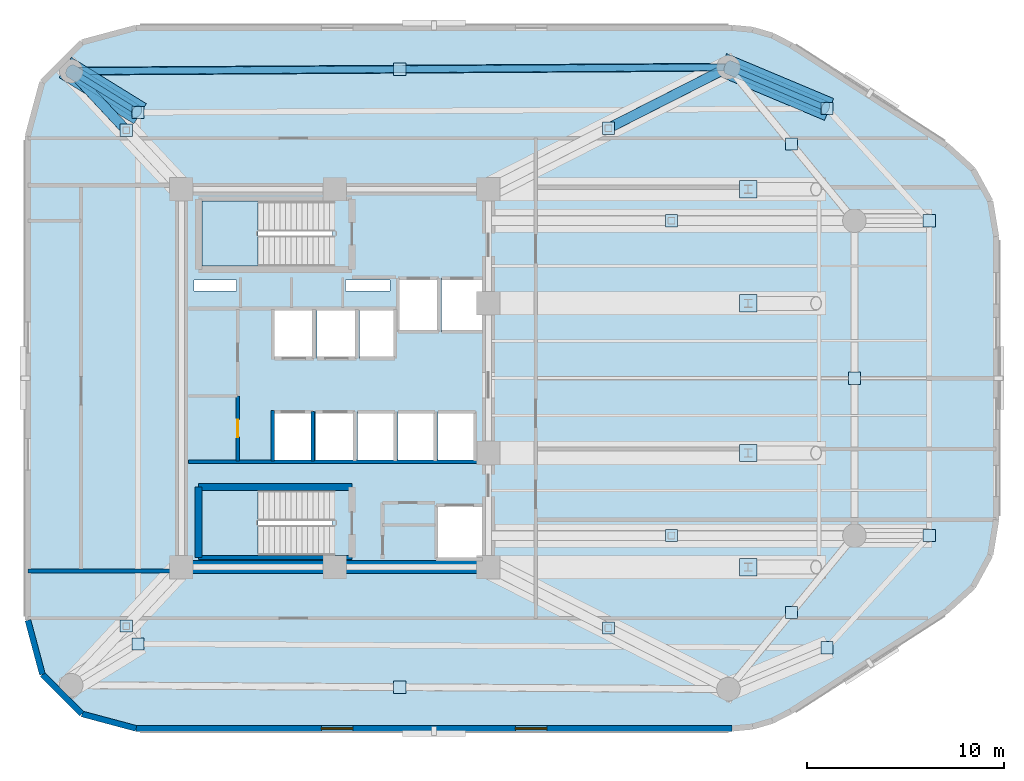
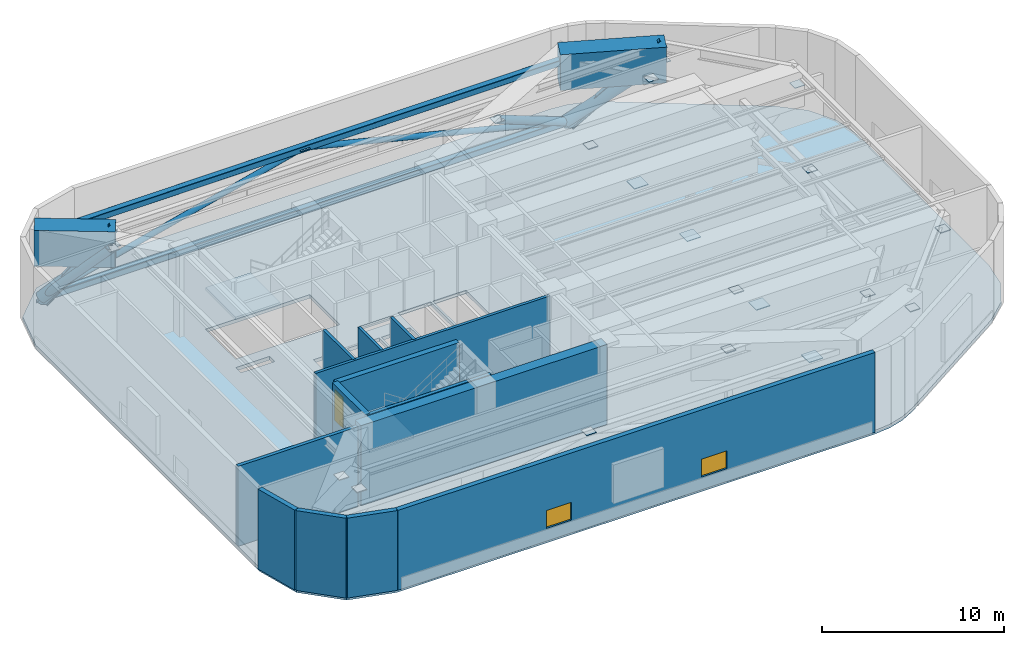
# One storey, part 4 of 9: 21 plates, 13 walls, 8 members, 4 beams, 3 slabs, 2 windows, 1 door, 3 openings, 2 elements without a shape of their own.
"""IFC4 building model written with IfcOpenShell, lengths in metres."""

from ifc_helpers import new_model, si_unit, direction, frame, frame_2d, origin, origin_2d, place, context, subcontext, project, spatial, polyline, rectangle, hollow_rectangle, hollow_circle, i_section, outline, extrude, material, layer, layer_set, material_profile, profile_set, type_object, element, fill, aggregate, save


model = new_model("IFC4")

# Units and contexts
model_context = context("Model", 3, precision=1e-05, world=origin(), true_north=direction((0.0, 1.0)))
body_context = subcontext(model_context, "Body", "Model", "MODEL_VIEW")
ifc_project = project(units=[si_unit("LENGTHUNIT", "METRE"), si_unit("AREAUNIT", "SQUARE_METRE"), si_unit("VOLUMEUNIT", "CUBIC_METRE"), si_unit("PLANEANGLEUNIT", "RADIAN"), si_unit("MASSUNIT", "GRAM", prefix="KILO")], contexts=[model_context])

# Site, building, storey
site_placement = place(None, origin())
site = spatial("IfcSite", under=ifc_project, at=site_placement, CompositionType="ELEMENT")
building_placement = place(site_placement, origin())
building = spatial("IfcBuilding", under=site, at=building_placement, Name="An Khanh Terracotta Commons", CompositionType="ELEMENT")
storey_placement = place(building_placement, frame((0.0, 0.0, 190.60009765625)))
storey = spatial("IfcBuildingStorey", under=building, at=storey_placement, Name="L50", CompositionType="ELEMENT", Elevation=190.60009765625)

# Members
ifc_material_1 = material(Name="Steel S460ML", Category="steel")
ifc_material_profile_1 = material_profile(ifc_material_1, hollow_rectangle(XDim=0.39990234375, YDim=0.39990234375, WallThickness=0.02001953125, InnerFilletRadius=0.02001953125, OuterFilletRadius=0.0400390625, at=origin_2d()), Name="SHS400x400x20")
ifc_profile_set_1 = profile_set([ifc_material_profile_1], Name="Steel S460ML")
member_type_1 = type_object("IfcMemberType", Name="BELT-CHORD-SHS400", PredefinedType="CHORD", material=ifc_profile_set_1)
for number, where, z_axis, x_axis, name in (
    (1, (49.39990234375, 39.800048828125, 0.449951171875), (-0.999982080914, -0.005986472262, 0.0), (0.005986472262, -0.999982080914, 0.0), "L50 Belt-Truss Bottom Chord 5"),
    (2, (49.39990234375, 39.800048828125, 4.60986328125), (-0.999982080914, -0.005986472262, 0.0), (0.005986472262, -0.999982080914, 0.0), "L50 Belt-Truss Top Chord 5"),
):
    element("IfcMember", number, at=place(storey_placement, frame(where, z_axis=z_axis, x_axis=x_axis)), inside=storey, type_object=member_type_1, Name=name, PredefinedType="CHORD", context=body_context, shape_type="SweptSolid", body=[
        extrude(hollow_rectangle(XDim=0.39990234375, YDim=0.39990234375, WallThickness=0.02001953125, InnerFilletRadius=0.02001953125, OuterFilletRadius=0.0400390625, at=origin_2d()), origin(), (0.0, 0.0, 1.0), 33.400390625),
    ])
ifc_material_profile_2 = material_profile(ifc_material_1, hollow_circle(Radius=0.177734375, WallThickness=0.01611328125, at=origin_2d()), Name="CHS355.6x16")
ifc_profile_set_2 = profile_set([ifc_material_profile_2], Name="Steel S460ML")
member_type_2 = type_object("IfcMemberType", Name="BELT-DIAG-CHS355", PredefinedType="BRACE", material=ifc_profile_set_2)
for number, where, z_axis, x_axis, name in (
    (3, (49.39990234375, 39.800048828125, 0.449951171875), (-0.970331848605, -0.005816061546, 0.24170700654), (0.005993781489, -0.99998203713, 0.0), "L50 Belt-Truss Web Diagonal 5A"),
    (4, (16.0, 39.60009765625, 0.449951171875), (0.970331928564, 0.005801876508, 0.241707026458), (-0.005979163033, 0.999982124645, 0.0), "L50 Belt-Truss Web Diagonal 5B"),
):
    element("IfcMember", number, at=place(storey_placement, frame(where, z_axis=z_axis, x_axis=x_axis)), inside=storey, type_object=member_type_2, Name=name, PredefinedType="BRACE", context=body_context, shape_type="SweptSolid", body=[
        extrude(hollow_circle(Radius=0.177734375, WallThickness=0.01611328125, at=origin_2d()), origin(), (0.0, 0.0, 1.0), 17.21044921875),
    ])

# Beams
ifc_material_2 = material(Name="Steel S355J2", Category="steel")
ifc_material_profile_3 = material_profile(ifc_material_2, i_section(OverallWidth=0.300048828125, OverallDepth=0.60009765625, WebThickness=0.015380859375, FlangeThickness=0.030029296875, FilletRadius=0.027099609375, at=origin_2d()), Name="HEB600")
ifc_profile_set_3 = profile_set([ifc_material_profile_3], Name="Steel S355J2")
beam_type_1 = type_object("IfcBeamType", Name="BM-HEB600", PredefinedType="BEAM", material=ifc_profile_set_3)
beam_1_placement = place(storey_placement, frame((49.39990234375, 39.800048828125, 0.0), z_axis=(0.662423609045, -0.27823085376, 0.695544789497), x_axis=(0.387247791457, 0.921975676475, 0.0)))
element("IfcBeam", 5, at=beam_1_placement, inside=storey, type_object=beam_type_1, Name="L50 Outrigger Lower Column Tie Beam 5", PredefinedType="BEAM", context=body_context, shape_type="SweptSolid", body=[
    extrude(i_section(OverallWidth=0.300048828125, OverallDepth=0.60009765625, WebThickness=0.015380859375, FlangeThickness=0.030029296875, FilletRadius=0.027099609375, at=origin_2d()), origin(), (0.0, 0.0, 1.0), 7.548095703125),
])
beam_2_placement = place(storey_placement, frame((16.0, 39.60009765625, 0.0), z_axis=(0.515300904723, -0.318298031195, 0.795708075194), x_axis=(0.525521495028, 0.850780323153, 0.0)))
element("IfcBeam", 6, at=beam_2_placement, inside=storey, type_object=beam_type_1, Name="L50 Outrigger Lower Column Tie Beam 6", PredefinedType="BEAM", context=body_context, shape_type="SweptSolid", body=[
    extrude(i_section(OverallWidth=0.300048828125, OverallDepth=0.60009765625, WebThickness=0.015380859375, FlangeThickness=0.030029296875, FilletRadius=0.027099609375, at=origin_2d()), origin(), (0.0, 0.0, 1.0), 6.597900390625),
])
ifc_material_3 = material(Name="Concrete C60/75", Category="concrete")
ifc_material_profile_4 = material_profile(ifc_material_3, rectangle(XDim=1.199951171875, YDim=2.39990234375, at=origin_2d()), Name="RCB1200x2400")
ifc_profile_set_4 = profile_set([ifc_material_profile_4], Name="Concrete C60/75")
beam_type_2 = type_object("IfcBeamType", Name="BM-RCB1200x2400", PredefinedType="BEAM", material=ifc_profile_set_4)
beam_3_placement = place(storey_placement, frame((49.076904296875, 39.93603515625, 4.159912109375), z_axis=(0.922002217464, -0.3871845955, 0.0), x_axis=(0.3871845955, 0.922002217464, 0.0)))
element("IfcBeam", 7, at=beam_3_placement, inside=storey, type_object=beam_type_2, Name="L50 Mega-Column Step-Out Transfer Girder 5", PredefinedType="BEAM", context=body_context, shape_type="SweptSolid", body=[
    extrude(rectangle(XDim=1.199951171875, YDim=2.39990234375, at=origin_2d()), origin(), (0.0, 0.0, 1.0), 5.893798828125),
])
beam_4_placement = place(storey_placement, frame((15.701904296875, 39.783935546875, 4.159912109375), z_axis=(0.850814529037, -0.525466114207, 0.0), x_axis=(0.525466114207, 0.850814529037, 0.0)))
element("IfcBeam", 8, at=beam_4_placement, inside=storey, type_object=beam_type_2, Name="L50 Mega-Column Step-Out Transfer Girder 6", PredefinedType="BEAM", context=body_context, shape_type="SweptSolid", body=[
    extrude(rectangle(XDim=1.199951171875, YDim=2.39990234375, at=origin_2d()), origin(), (0.0, 0.0, 1.0), 4.46630859375),
])

# Members
ifc_material_profile_5 = material_profile(ifc_material_1, hollow_circle(Radius=0.25390625, WallThickness=0.02490234375, at=origin_2d()), Name="CHS508x25")
ifc_profile_set_5 = profile_set([ifc_material_profile_5], Name="Steel S460ML")
member_type_3 = type_object("IfcMemberType", Name="OUTRIGGER-DIAG-CHS508", PredefinedType="BRACE", material=ifc_profile_set_5)
member_1_placement = place(storey_placement, frame((43.300048828125, 36.699951171875, 4.60986328125), z_axis=(0.761745965171, 0.387138293606, -0.519487272385), x_axis=(-0.453069837272, 0.891475026321, 0.0)))
element("IfcMember", 9, at=member_1_placement, inside=storey, type_object=member_type_3, Name="L50 Outrigger Tie Diagonal 5B", PredefinedType="BRACE", context=body_context, shape_type="SweptSolid", body=[
    extrude(hollow_circle(Radius=0.25390625, WallThickness=0.02490234375, at=origin_2d()), origin(), (0.0, 0.0, 1.0), 8.0078125),
])
member_2_placement = place(storey_placement, frame((18.800048828125, 36.60009765625, 4.60986328125), z_axis=(-0.479182712866, 0.513401096495, -0.711901146092), x_axis=(-0.731049333052, -0.682324609438, 0.0)))
element("IfcMember", 10, at=member_2_placement, inside=storey, type_object=member_type_3, Name="L50 Outrigger Tie Diagonal 6B", PredefinedType="BRACE", context=body_context, shape_type="SweptSolid", body=[
    extrude(hollow_circle(Radius=0.25390625, WallThickness=0.02490234375, at=origin_2d()), origin(), (0.0, 0.0, 1.0), 5.843505859375),
])
ifc_material_profile_6 = material_profile(ifc_material_1, hollow_circle(Radius=0.35546875, WallThickness=0.031982421875, at=origin_2d()), Name="CHS711x32")
ifc_profile_set_6 = profile_set([ifc_material_profile_6], Name="Steel S460ML")
member_type_4 = type_object("IfcMemberType", Name="OUTRIGGER-RAKE-CHS711", PredefinedType="STRUT", material=ifc_profile_set_6)
member_3_placement = place(storey_placement, frame((49.39990234375, 39.800048828125, 0.449951171875), z_axis=(0.757306453863, -0.318093482504, 0.570353812405), x_axis=(0.387258120175, 0.921971338144, 0.0)))
element("IfcMember", 11, at=member_3_placement, inside=storey, type_object=member_type_4, Name="L50 Zone-Step Raking Outrigger Strut 5", PredefinedType="STRUT", context=body_context, shape_type="SweptSolid", body=[
    extrude(hollow_circle(Radius=0.35546875, WallThickness=0.031982421875, at=origin_2d()), origin(), (0.0, 0.0, 1.0), 6.504638671875),
])
member_4_placement = place(storey_placement, frame((16.0, 39.60009765625, 0.449951171875), z_axis=(0.617656968065, -0.381509982473, 0.687713605416), x_axis=(0.525508806665, 0.850788160541, 0.0)))
element("IfcMember", 12, at=member_4_placement, inside=storey, type_object=member_type_4, Name="L50 Zone-Step Raking Outrigger Strut 6", PredefinedType="STRUT", context=body_context, shape_type="SweptSolid", body=[
    extrude(hollow_circle(Radius=0.35546875, WallThickness=0.031982421875, at=origin_2d()), origin(), (0.0, 0.0, 1.0), 5.39453125),
])

# Plates
ifc_layer_1 = layer(ifc_material_1, 0.031982421875, Name="Steel S460ML")
ifc_layer_set_1 = layer_set([ifc_layer_1], Name="Steel S460ML")
plate_type_1 = type_object("IfcPlateType", Name="PLATE-GUSSET-32", PredefinedType="USERDEFINED", material=ifc_layer_set_1)
for number, where, z_axis, x_axis, name in (
    (13, (32.699951171875, 8.300048828125, 4.59375), (0.0, 0.0, 1.0), (1.0, 0.0, 0.0), "L50 Belt-Truss Apex Gusset Plate 1"),
    (14, (52.60009765625, 12.10009765625, 4.59375), (0.0, 0.0, 1.0), (1.0, 0.0, 0.0), "L50 Belt-Truss Apex Gusset Plate 2"),
    (15, (55.800048828125, 24.0, 4.59375), (0.0, 0.0, 1.0), (1.0, 0.0, 0.0), "L50 Belt-Truss Apex Gusset Plate 3"),
    (16, (52.60009765625, 35.89990234375, 4.59375), (0.0, 0.0, 1.0), (1.0, 0.0, 0.0), "L50 Belt-Truss Apex Gusset Plate 4"),
    (17, (32.699951171875, 39.699951171875, 4.59375), (0.0, 0.0, 1.0), (1.0, 0.0, 0.0), "L50 Belt-Truss Apex Gusset Plate 5"),
):
    element("IfcPlate", number, at=place(storey_placement, frame(where, z_axis=z_axis, x_axis=x_axis)), inside=storey, type_object=plate_type_1, Name=name, ObjectType="FLANGE_PLATE", PredefinedType="USERDEFINED", context=body_context, shape_type="SweptSolid", body=[
        extrude(rectangle(XDim=0.6201171875, YDim=0.6201171875, at=origin_2d()), origin(), (0.0, 0.0, 1.0), 0.031982421875),
    ])
ifc_layer_2 = layer(ifc_material_1, 0.0400390625, Name="Steel S460ML")
ifc_layer_set_2 = layer_set([ifc_layer_2], Name="Steel S460ML")
plate_type_2 = type_object("IfcPlateType", Name="PLATE-GUSSET-40", PredefinedType="USERDEFINED", material=ifc_layer_set_2)
for number, where, z_axis, x_axis, name in (
    (18, (19.39990234375, 10.5, 4.08984375), (0.0, 0.0, 1.0), (1.0, 0.0, 0.0), "L50 Outrigger Kink Node End-Cap Plate 1"),
    (19, (18.800048828125, 11.39990234375, 4.58984375), (0.0, 0.0, 1.0), (1.0, 0.0, 0.0), "L50 Outrigger Tie Apex Flange Plate 1"),
    (20, (54.39990234375, 10.300048828125, 4.08984375), (0.0, 0.0, 1.0), (1.0, 0.0, 0.0), "L50 Outrigger Kink Node End-Cap Plate 2"),
    (21, (43.300048828125, 11.300048828125, 4.58984375), (0.0, 0.0, 1.0), (1.0, 0.0, 0.0), "L50 Outrigger Tie Apex Flange Plate 2"),
    (22, (59.60009765625, 16.0, 4.08984375), (0.0, 0.0, 1.0), (1.0, 0.0, 0.0), "L50 Outrigger Kink Node End-Cap Plate 3"),
    (23, (46.5, 16.0, 4.58984375), (0.0, 0.0, 1.0), (1.0, 0.0, 0.0), "L50 Outrigger Tie Apex Flange Plate 3"),
    (24, (59.60009765625, 32.0, 4.08984375), (0.0, 0.0, 1.0), (1.0, 0.0, 0.0), "L50 Outrigger Kink Node End-Cap Plate 4"),
    (25, (46.5, 32.0, 4.58984375), (0.0, 0.0, 1.0), (1.0, 0.0, 0.0), "L50 Outrigger Tie Apex Flange Plate 4"),
    (26, (54.39990234375, 37.699951171875, 4.08984375), (0.0, 0.0, 1.0), (1.0, 0.0, 0.0), "L50 Outrigger Kink Node End-Cap Plate 5"),
    (27, (43.300048828125, 36.699951171875, 4.58984375), (0.0, 0.0, 1.0), (1.0, 0.0, 0.0), "L50 Outrigger Tie Apex Flange Plate 5"),
    (28, (19.39990234375, 37.5, 4.08984375), (0.0, 0.0, 1.0), (1.0, 0.0, 0.0), "L50 Outrigger Kink Node End-Cap Plate 6"),
    (29, (18.800048828125, 36.60009765625, 4.58984375), (0.0, 0.0, 1.0), (1.0, 0.0, 0.0), "L50 Outrigger Tie Apex Flange Plate 6"),
):
    element("IfcPlate", number, at=place(storey_placement, frame(where, z_axis=z_axis, x_axis=x_axis)), inside=storey, type_object=plate_type_2, Name=name, ObjectType="FLANGE_PLATE", PredefinedType="USERDEFINED", context=body_context, shape_type="SweptSolid", body=[
        extrude(rectangle(XDim=0.6201171875, YDim=0.6201171875, at=origin_2d()), origin(), (0.0, 0.0, 1.0), 0.0400390625),
    ])
ifc_layer_3 = layer(ifc_material_1, 0.050048828125, Name="Steel S460ML")
ifc_layer_set_3 = layer_set([ifc_layer_3], Name="Steel S460ML")
plate_type_3 = type_object("IfcPlateType", Name="PLATE-GUSSET-50", PredefinedType="USERDEFINED", material=ifc_layer_set_3)
for number, where, z_axis, x_axis, name in (
    (30, (50.39990234375, 14.39990234375, -0.294921875), (0.0, 0.0, 1.0), (1.0, 0.0, 0.0), "L50 Interior Column Raking Strut Base End-Cap Plate 1"),
    (31, (50.39990234375, 20.199951171875, -0.294921875), (0.0, 0.0, 1.0), (1.0, 0.0, 0.0), "L50 Interior Column Raking Strut Base End-Cap Plate 2"),
    (32, (50.39990234375, 27.800048828125, -0.294921875), (0.0, 0.0, 1.0), (1.0, 0.0, 0.0), "L50 Interior Column Raking Strut Base End-Cap Plate 3"),
    (33, (50.39990234375, 33.60009765625, -0.294921875), (0.0, 0.0, 1.0), (1.0, 0.0, 0.0), "L50 Interior Column Raking Strut Base End-Cap Plate 4"),
):
    element("IfcPlate", number, at=place(storey_placement, frame(where, z_axis=z_axis, x_axis=x_axis)), inside=storey, type_object=plate_type_3, Name=name, ObjectType="FLANGE_PLATE", PredefinedType="USERDEFINED", context=body_context, shape_type="SweptSolid", body=[
        extrude(rectangle(XDim=0.8798828125, YDim=0.8798828125, at=origin_2d()), origin(), (0.0, 0.0, 1.0), 0.050048828125),
    ])

# Stair, slab
ifc_material_4 = material(Name="Precast concrete C40/50", Category="concrete")
stair_type = type_object("IfcStairType", Name="STAIR-CORE-1550", PredefinedType="HALF_TURN_STAIR", material=ifc_material_4)
stair_1_placement = place(storey_placement, origin())
stair_1 = element("IfcStair", 34, at=stair_1_placement, inside=storey, type_object=stair_type, Name="L50 Core Smokeproof Exit Stair ST-01", PredefinedType="HALF_TURN_STAIR")
ifc_material_5 = material(Name="Concrete C40/50", Category="concrete")
ifc_layer_4 = layer(ifc_material_5, 0.18994140625, Name="Concrete C40/50")
ifc_layer_set_4 = layer_set([ifc_layer_4], Name="Concrete C40/50")
slab_type_1 = type_object("IfcSlabType", Name="SLAB-LANDING-190", PredefinedType="LANDING", material=ifc_layer_set_4)
slab_1_placement = place(storey_placement, frame((0.0, 0.0, 2.599853515625)))
slab_1 = element("IfcSlab", 35, at=slab_1_placement, type_object=slab_type_1, Name="ST-01 landing 1", PredefinedType="LANDING", context=body_context, shape_type="SweptSolid", body=[
    extrude(outline(polyline([(25.489990234375, 33.0), (22.64990234375, 33.0), (22.64990234375, 29.699951171875), (25.489990234375, 29.699951171875), (25.489990234375, 33.0)])), origin(), (0.0, 0.0, 1.0), 0.199951171875),
])
aggregate(stair_1, [slab_1])

stair_2_placement = place(storey_placement, origin())
stair_2 = element("IfcStair", 36, at=stair_2_placement, inside=storey, type_object=stair_type, Name="L50 Core Smokeproof Exit Stair ST-02", PredefinedType="HALF_TURN_STAIR")
slab_2_placement = place(storey_placement, frame((0.0, 0.0, 2.599853515625)))
slab_2 = element("IfcSlab", 37, at=slab_2_placement, type_object=slab_type_1, Name="ST-02 landing 1", PredefinedType="LANDING", context=body_context, shape_type="SweptSolid", body=[
    extrude(outline(polyline([(25.489990234375, 18.300048828125), (22.64990234375, 18.300048828125), (22.64990234375, 15.0), (25.489990234375, 15.0), (25.489990234375, 18.300048828125)])), origin(), (0.0, 0.0, 1.0), 0.199951171875),
])
aggregate(stair_2, [slab_2])

# Slab
ifc_layer_5 = layer(ifc_material_5, 0.260009765625, Name="Concrete C40/50")
ifc_layer_set_5 = layer_set([ifc_layer_5], Name="Concrete C40/50")
slab_type_2 = type_object("IfcSlabType", Name="SLAB-REF-260", PredefinedType="FLOOR", material=ifc_layer_set_5)
slab_3_placement = place(storey_placement, frame((0.0, 0.0, -0.239990234375)))
element("IfcSlab", 38, at=slab_3_placement, inside=storey, type_object=slab_type_2, Name="L50 Structural Floor Slab", PredefinedType="FLOOR", context=body_context, shape_type="SweptSolid", body=[
    extrude(outline(polyline([(13.800048828125, 11.699951171875), (14.537109375, 8.949951171875), (16.550048828125, 6.93701171875), (19.300048828125, 6.199951171875), (49.58203125, 6.199951171875), (50.625, 6.300048828125), (51.6298828125, 6.594970703125), (52.56005859375, 7.075927734375), (60.47802734375, 12.176025390625), (61.825927734375, 13.403076171875), (62.697998046875, 15.0029296875), (63.0, 16.800048828125), (63.0, 31.199951171875), (62.697998046875, 32.9970703125), (61.825927734375, 34.596923828125), (60.47802734375, 35.823974609375), (52.56005859375, 40.924072265625), (51.6298828125, 41.405029296875), (50.625, 41.699951171875), (49.58203125, 41.800048828125), (19.300048828125, 41.800048828125), (16.550048828125, 41.06298828125), (14.537109375, 39.050048828125), (13.800048828125, 36.300048828125), (13.800048828125, 11.699951171875)]), holes=[polyline([(22.64990234375, 29.699951171875), (29.27001953125, 29.699951171875), (29.27001953125, 33.0), (22.64990234375, 33.0), (22.64990234375, 29.699951171875)]), polyline([(22.64990234375, 15.0), (29.27001953125, 15.0), (29.27001953125, 18.300048828125), (22.64990234375, 18.300048828125), (22.64990234375, 15.0)]), polyline([(32.60009765625, 26.35009765625), (34.679931640625, 26.35009765625), (34.679931640625, 29.080078125), (32.60009765625, 29.080078125), (32.60009765625, 26.35009765625)]), polyline([(34.820068359375, 26.35009765625), (36.89990234375, 26.35009765625), (36.89990234375, 29.080078125), (34.820068359375, 29.080078125), (34.820068359375, 26.35009765625)]), polyline([(34.550048828125, 14.800048828125), (36.89990234375, 14.800048828125), (36.89990234375, 17.550048828125), (34.550048828125, 17.550048828125), (34.550048828125, 14.800048828125)]), polyline([(26.320068359375, 25.0), (28.340087890625, 25.0), (28.340087890625, 27.5), (26.320068359375, 27.5), (26.320068359375, 25.0)]), polyline([(28.47998046875, 25.0), (30.5, 25.0), (30.5, 27.5), (28.47998046875, 27.5), (28.47998046875, 25.0)]), polyline([(26.280029296875, 19.800048828125), (28.280029296875, 19.800048828125), (28.280029296875, 22.300048828125), (26.280029296875, 22.300048828125), (26.280029296875, 19.800048828125)]), polyline([(28.419921875, 19.800048828125), (30.419921875, 19.800048828125), (30.419921875, 22.300048828125), (28.419921875, 22.300048828125), (28.419921875, 19.800048828125)]), polyline([(30.639892578125, 25.0), (32.4599609375, 25.0), (32.4599609375, 27.5), (30.639892578125, 27.5), (30.639892578125, 25.0)]), polyline([(30.56005859375, 19.800048828125), (32.4599609375, 19.800048828125), (32.4599609375, 22.300048828125), (30.56005859375, 22.300048828125), (30.56005859375, 19.800048828125)]), polyline([(32.60009765625, 19.800048828125), (34.5, 19.800048828125), (34.5, 22.300048828125), (32.60009765625, 22.300048828125), (32.60009765625, 19.800048828125)]), polyline([(34.639892578125, 19.800048828125), (36.5400390625, 19.800048828125), (36.5400390625, 22.300048828125), (34.639892578125, 22.300048828125), (34.639892578125, 19.800048828125)]), polyline([(22.25, 28.419921875), (24.39990234375, 28.419921875), (24.39990234375, 28.97998046875), (22.25, 28.97998046875), (22.25, 28.419921875)]), polyline([(29.949951171875, 28.419921875), (32.199951171875, 28.419921875), (32.199951171875, 28.97998046875), (29.949951171875, 28.97998046875), (29.949951171875, 28.419921875)])]), origin(), (0.0, 0.0, 1.0), 0.239990234375),
])

# Walls
ifc_layer_6 = layer(ifc_material_3, 0.64990234375, Name="Concrete C60/75")
ifc_layer_set_6 = layer_set([ifc_layer_6], Name="Concrete C60/75")
wall_type_1 = type_object("IfcWallType", Name="WALL-CORE-650", PredefinedType="SHEAR", material=ifc_layer_set_6)
wall_1_placement = place(storey_placement, frame((37.199951171875, 14.39990234375, 0.0), z_axis=(0.0, 0.0, 1.0), x_axis=(-1.0, 0.0, 0.0)))
element("IfcWall", 39, at=wall_1_placement, inside=storey, type_object=wall_type_1, Name="L50 Core Wall CWALL-L50-S", PredefinedType="SHEAR", context=body_context, shape_type="SweptSolid", body=[
    extrude(rectangle(XDim=15.599853515625, YDim=0.64990234375, at=frame_2d((7.7998046875, 0.0))), origin(), (0.0, 0.0, 1.0), 5.35986328125),
])
ifc_material_6 = material(Name="Fire-Rated Gypsum Board on Steel Stud", Category="steel")
ifc_layer_7 = layer(ifc_material_6, 0.179931640625, Name="Fire-Rated Gypsum Board on Steel Stud")
ifc_layer_set_7 = layer_set([ifc_layer_7], Name="Fire-Rated Gypsum Board on Steel Stud")
wall_type_2 = type_object("IfcWallType", Name="WALL-CORR-180", PredefinedType="PARTITIONING", material=ifc_layer_set_7)
wall_2_placement = place(storey_placement, frame((21.949951171875, 19.760009765625, 0.0), z_axis=(0.0, 0.0, 1.0), x_axis=(1.0, 0.0, 0.0)))
element("IfcWall", 40, at=wall_2_placement, inside=storey, type_object=wall_type_2, Name="L50 Core Wall SVW-L50-N", PredefinedType="PARTITIONING", context=body_context, shape_type="SweptSolid", body=[
    extrude(rectangle(XDim=14.8701171875, YDim=0.179931640625, at=frame_2d((7.43505859375, 0.0))), origin(), (0.0, 0.0, 1.0), 5.35986328125),
])
wall_3_placement = place(storey_placement, frame((28.280029296875, 19.800048828125, 0.0), z_axis=(0.0, 0.0, 1.0), x_axis=(0.0, 1.0, 0.0)))
element("IfcWall", 41, at=wall_3_placement, inside=storey, type_object=wall_type_2, Name="L50 Core Wall LSH-L50-PL-M3-E", PredefinedType="PARTITIONING", context=body_context, shape_type="SweptSolid", body=[
    extrude(rectangle(XDim=2.5, YDim=0.179931640625, at=frame_2d((1.25, 0.0))), origin(), (0.0, 0.0, 1.0), 5.35986328125),
])

# Wall, opening, door
wall_4_placement = place(storey_placement, frame((24.4599609375, 19.800048828125, 0.0), z_axis=(0.0, 0.0, 1.0), x_axis=(0.0, 1.0, 0.0)))
wall_4 = element("IfcWall", 42, at=wall_4_placement, inside=storey, type_object=wall_type_2, Name="L50 Core Wall RECW-L50-E2", PredefinedType="PARTITIONING", context=body_context, shape_type="SweptSolid", body=[
    extrude(rectangle(XDim=3.300048828125, YDim=0.179931640625, at=frame_2d((1.64990234375, 0.0))), origin(), (0.0, 0.0, 1.0), 5.35986328125),
])
opening_1_placement = place(wall_4_placement, frame((1.199951171875, 0.0, 0.0)))
opening_1 = element("IfcOpeningElement", 43, at=opening_1_placement, cuts=wall_4, Name="Opening D-SV", PredefinedType="OPENING", context=body_context, shape_type="SweptSolid", body=[
    extrude(rectangle(XDim=0.89990234375, YDim=2.050048828125, at=frame_2d((0.449951171875, 1.02490234375))), frame((0.0, 0.099853515625, 0.0), z_axis=(0.0, -1.0, 0.0), x_axis=(1.0, 0.0, 0.0)), (0.0, 0.0, 1.0), 0.199951171875),
])
ifc_material_7 = material(Name="Fire-Rated Powder-Coated Steel Door", Category="steel")
door_type = type_object("IfcDoorType", Name="DOOR-SERV-900", OperationType="NOTDEFINED", PredefinedType="DOOR", material=ifc_material_7)
door_placement = place(opening_1_placement, origin())
door = element("IfcDoor", 44, at=door_placement, inside=storey, type_object=door_type, Name="L50 Refuge Emergency Generator Switchroom Door", OperationType="SINGLE_SWING_LEFT", OverallHeight=2.050048828125, OverallWidth=0.89990234375, PredefinedType="DOOR", context=body_context, shape_type="SweptSolid", body=[
    extrude(rectangle(XDim=0.89990234375, YDim=2.050048828125, at=frame_2d((0.449951171875, 1.02490234375))), frame((0.0, 0.02490234375, 0.0), z_axis=(0.0, -1.0, 0.0), x_axis=(1.0, 0.0, 0.0)), (0.0, 0.0, 1.0), 0.050048828125),
])
fill(opening_1, door)

# Walls
wall_5_placement = place(storey_placement, frame((26.25, 19.800048828125, 0.0), z_axis=(0.0, 0.0, 1.0), x_axis=(0.0, 1.0, 0.0)))
element("IfcWall", 45, at=wall_5_placement, inside=storey, type_object=wall_type_2, Name="L50 Core Wall RECW-L50-BE2", PredefinedType="PARTITIONING", context=body_context, shape_type="SweptSolid", body=[
    extrude(rectangle(XDim=2.550048828125, YDim=0.179931640625, at=frame_2d((1.27490234375, 0.0))), origin(), (0.0, 0.0, 1.0), 5.35986328125),
])
ifc_layer_8 = layer(ifc_material_4, 0.300048828125, Name="Precast concrete C40/50")
ifc_layer_set_8 = layer_set([ifc_layer_8], Name="Precast concrete C40/50")
wall_type_3 = type_object("IfcWallType", Name="WALL-EXT-300", PredefinedType="SOLIDWALL", material=ifc_layer_set_8)
wall_6_placement = place(storey_placement, frame((13.800048828125, 11.699951171875, 0.0), z_axis=(0.0, 0.0, 1.0), x_axis=(0.258884674387, -0.965908238586, 0.0)))
element("IfcWall", 46, at=wall_6_placement, inside=storey, type_object=wall_type_3, Name="L50 Insulated Terracotta Exterior Wall 1", PredefinedType="SOLIDWALL", context=body_context, shape_type="SweptSolid", body=[
    extrude(rectangle(XDim=2.84716796875, YDim=0.300048828125, at=frame_2d((1.423583984375, 0.0))), origin(), (0.0, 0.0, 1.0), 5.35986328125),
])
wall_7_placement = place(storey_placement, frame((14.537109375, 8.949951171875, 0.0), z_axis=(0.0, 0.0, 1.0), x_axis=(0.707106781187, -0.707106781187, 0.0)))
element("IfcWall", 47, at=wall_7_placement, inside=storey, type_object=wall_type_3, Name="L50 Insulated Terracotta Exterior Wall 2", PredefinedType="SOLIDWALL", context=body_context, shape_type="SweptSolid", body=[
    extrude(rectangle(XDim=2.8466796875, YDim=0.300048828125, at=frame_2d((1.42333984375, 0.0))), origin(), (0.0, 0.0, 1.0), 5.35986328125),
])
wall_8_placement = place(storey_placement, frame((16.550048828125, 6.93701171875, 0.0), z_axis=(0.0, 0.0, 1.0), x_axis=(0.965908238586, -0.258884674387, 0.0)))
element("IfcWall", 48, at=wall_8_placement, inside=storey, type_object=wall_type_3, Name="L50 Insulated Terracotta Exterior Wall 3", PredefinedType="SOLIDWALL", context=body_context, shape_type="SweptSolid", body=[
    extrude(rectangle(XDim=2.84716796875, YDim=0.300048828125, at=frame_2d((1.423583984375, 0.0))), origin(), (0.0, 0.0, 1.0), 5.35986328125),
])

# Wall, openings, windows
wall_9_placement = place(storey_placement, frame((19.300048828125, 6.199951171875, 0.0), z_axis=(0.0, 0.0, 1.0), x_axis=(1.0, 0.0, 0.0)))
wall_9 = element("IfcWall", 49, at=wall_9_placement, inside=storey, type_object=wall_type_3, Name="L50 Insulated Terracotta Exterior Wall 4", PredefinedType="SOLIDWALL", context=body_context, shape_type="SweptSolid", body=[
    extrude(rectangle(XDim=30.281982421875, YDim=0.300048828125, at=frame_2d((15.14111328125, 0.0))), origin(), (0.0, 0.0, 1.0), 5.35986328125),
])
opening_2_placement = place(wall_9_placement, frame((9.410888671875, 0.0, 0.85009765625)))
opening_2 = element("IfcOpeningElement", 50, at=opening_2_placement, cuts=wall_9, Name="Opening W-12", PredefinedType="OPENING", context=body_context, shape_type="SweptSolid", body=[
    extrude(rectangle(XDim=1.60009765625, YDim=1.199951171875, at=frame_2d((0.800048828125, 0.60009765625))), frame((0.0, 0.159912109375, 0.0), z_axis=(0.0, -1.0, 0.0), x_axis=(1.0, 0.0, 0.0)), (0.0, 0.0, 1.0), 0.320068359375),
])
opening_3_placement = place(wall_9_placement, frame((19.27099609375, 0.0, 0.85009765625)))
opening_3 = element("IfcOpeningElement", 51, at=opening_3_placement, cuts=wall_9, Name="Opening W-12", PredefinedType="OPENING", context=body_context, shape_type="SweptSolid", body=[
    extrude(rectangle(XDim=1.60009765625, YDim=1.199951171875, at=frame_2d((0.800048828125, 0.60009765625))), frame((0.0, 0.159912109375, 0.0), z_axis=(0.0, -1.0, 0.0), x_axis=(1.0, 0.0, 0.0)), (0.0, 0.0, 1.0), 0.320068359375),
])
ifc_material_8 = material(Name="Thermally Broken Aluminium and Low-E Glass", Category="aluminium")
window_type = type_object("IfcWindowType", Name="WIN-REF-1600x1200", PartitioningType="DOUBLE_PANEL_VERTICAL", PredefinedType="WINDOW", material=ifc_material_8)
window_1_placement = place(opening_2_placement, origin())
window_1 = element("IfcWindow", 52, at=window_1_placement, inside=storey, type_object=window_type, Name="L50 Operable Casement Window 4.1", OverallHeight=1.199951171875, OverallWidth=1.60009765625, PartitioningType="DOUBLE_PANEL_VERTICAL", PredefinedType="WINDOW", context=body_context, shape_type="SweptSolid", body=[
    extrude(rectangle(XDim=1.60009765625, YDim=1.199951171875, at=frame_2d((0.800048828125, 0.60009765625))), frame((0.0, 0.030029296875, 0.0), z_axis=(0.0, -1.0, 0.0), x_axis=(1.0, 0.0, 0.0)), (0.0, 0.0, 1.0), 0.06005859375),
])
fill(opening_2, window_1)
window_2_placement = place(opening_3_placement, origin())
window_2 = element("IfcWindow", 53, at=window_2_placement, inside=storey, type_object=window_type, Name="L50 Operable Casement Window 4.2", OverallHeight=1.199951171875, OverallWidth=1.60009765625, PartitioningType="DOUBLE_PANEL_VERTICAL", PredefinedType="WINDOW", context=body_context, shape_type="SweptSolid", body=[
    extrude(rectangle(XDim=1.60009765625, YDim=1.199951171875, at=frame_2d((0.800048828125, 0.60009765625))), frame((0.0, 0.030029296875, 0.0), z_axis=(0.0, -1.0, 0.0), x_axis=(1.0, 0.0, 0.0)), (0.0, 0.0, 1.0), 0.06005859375),
])
fill(opening_3, window_2)

# Walls
ifc_material_9 = material(Name="Acoustic Double-Stud Gypsum and Mineral Wool")
ifc_layer_9 = layer(ifc_material_9, 0.219970703125, Name="Acoustic Double-Stud Gypsum and Mineral Wool")
ifc_layer_set_9 = layer_set([ifc_layer_9], Name="Acoustic Double-Stud Gypsum and Mineral Wool")
wall_type_4 = type_object("IfcWallType", Name="WALL-PARTY-220", PredefinedType="PARTITIONING", material=ifc_layer_set_9)
wall_10_placement = place(storey_placement, frame((22.47998046875, 14.889892578125, 0.0), z_axis=(0.0, 0.0, 1.0), x_axis=(1.0, 0.0, 0.0)))
element("IfcWall", 54, at=wall_10_placement, inside=storey, type_object=wall_type_4, Name="L50 Core Wall STW-L50-S-S", PredefinedType="PARTITIONING", context=body_context, shape_type="SweptSolid", body=[
    extrude(rectangle(XDim=7.7900390625, YDim=0.219970703125, at=frame_2d((3.89501953125, 0.0))), origin(), (0.0, 0.0, 1.0), 5.35986328125),
])
wall_11_placement = place(storey_placement, frame((13.800048828125, 14.199951171875, 0.0), z_axis=(0.0, 0.0, 1.0), x_axis=(1.0, 0.0, 0.0)))
element("IfcWall", 55, at=wall_11_placement, inside=storey, type_object=wall_type_4, Name="L50 Interior Partition IW-L50-E002", PredefinedType="PARTITIONING", context=body_context, shape_type="SweptSolid", body=[
    extrude(rectangle(XDim=7.599853515625, YDim=0.219970703125, at=frame_2d((3.7998046875, 0.0))), origin(), (0.0, 0.0, 1.0), 5.35986328125),
])
ifc_material_10 = material(Name="Concrete C50/60", Category="concrete")
ifc_layer_10 = layer(ifc_material_10, 0.35009765625, Name="Concrete C50/60")
ifc_layer_set_10 = layer_set([ifc_layer_10], Name="Concrete C50/60")
wall_type_5 = type_object("IfcWallType", Name="WALL-SHAFT-350", PredefinedType="SOLIDWALL", material=ifc_layer_set_10)
wall_12_placement = place(storey_placement, frame((22.47998046875, 18.469970703125, 0.0), z_axis=(0.0, 0.0, 1.0), x_axis=(1.0, 0.0, 0.0)))
element("IfcWall", 56, at=wall_12_placement, inside=storey, type_object=wall_type_5, Name="L50 Core Wall STW-L50-S-N", PredefinedType="SOLIDWALL", context=body_context, shape_type="SweptSolid", body=[
    extrude(rectangle(XDim=7.7900390625, YDim=0.35009765625, at=frame_2d((3.89501953125, 0.0))), origin(), (0.0, 0.0, 1.0), 5.35986328125),
])
wall_13_placement = place(storey_placement, frame((22.47998046875, 14.889892578125, 0.0), z_axis=(0.0, 0.0, 1.0), x_axis=(0.0, 1.0, 0.0)))
element("IfcWall", 57, at=wall_13_placement, inside=storey, type_object=wall_type_5, Name="L50 Core Wall STW-L50-S-W", PredefinedType="SOLIDWALL", context=body_context, shape_type="SweptSolid", body=[
    extrude(rectangle(XDim=3.580078125, YDim=0.35009765625, at=frame_2d((1.7900390625, 0.0))), origin(), (0.0, 0.0, 1.0), 5.35986328125),
])

save(model, "model.ifc")
